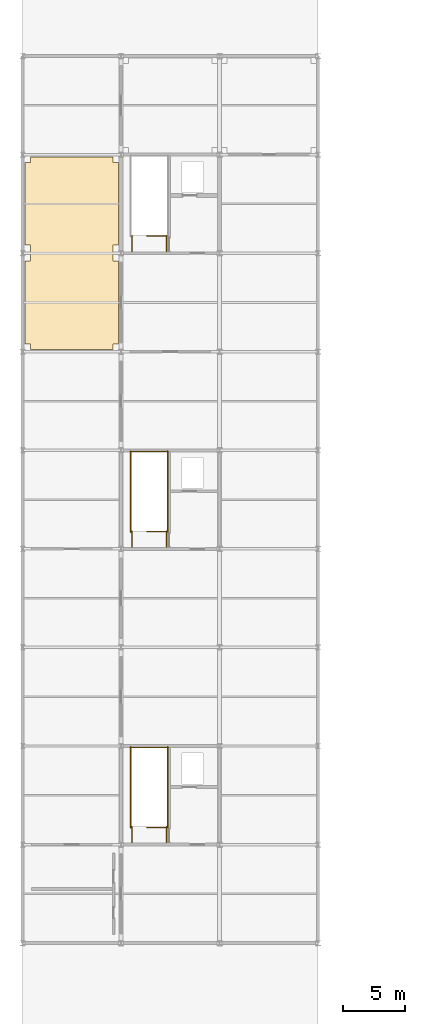
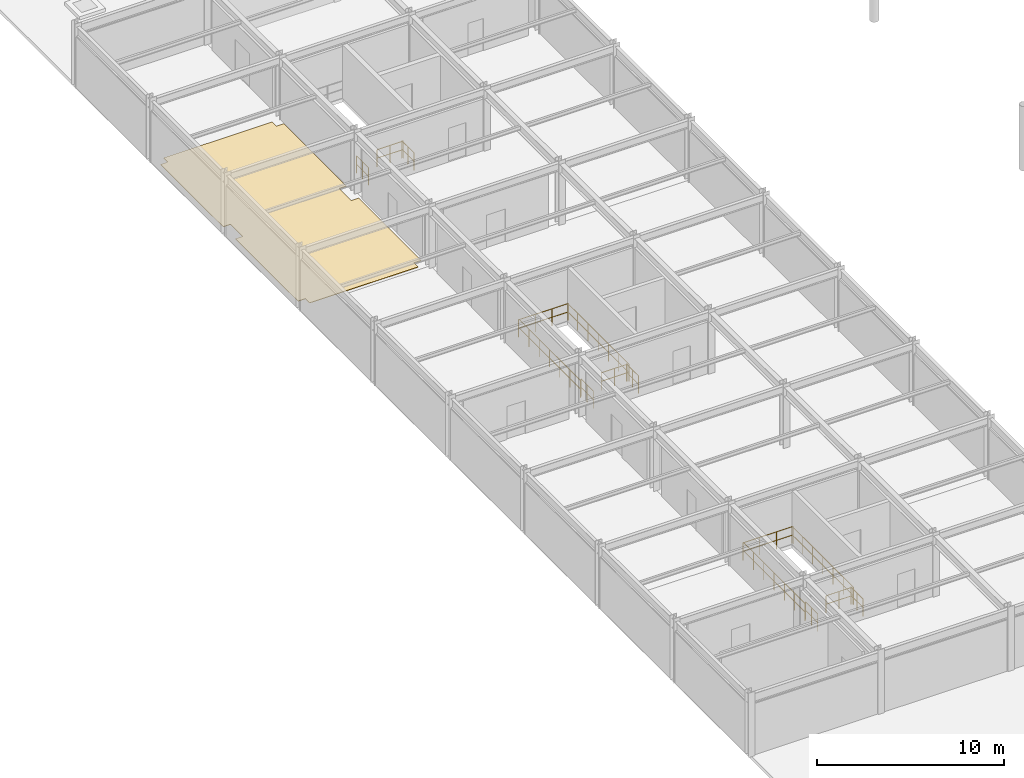
# One storey, part 40 of 41: 15 railings, 1 covering.
"""IFC4 building model written with IfcOpenShell, lengths in metres."""

from ifc_helpers import new_model, si_unit, direction, frame, origin, origin_2d, place, context, subcontext, project, spatial, polyline, circle, outline, extrude, material, layer, layer_set, type_object, element, save


model = new_model("IFC4")

# Units and contexts
model_context = context("Model", 3, precision=1e-05, world=origin(), true_north=direction((0.0, 1.0)))
body_context = subcontext(model_context, "Body", "Model", "MODEL_VIEW")
ifc_project = project(units=[si_unit("LENGTHUNIT", "METRE"), si_unit("AREAUNIT", "SQUARE_METRE"), si_unit("VOLUMEUNIT", "CUBIC_METRE"), si_unit("PLANEANGLEUNIT", "RADIAN"), si_unit("MASSUNIT", "GRAM", prefix="KILO")], contexts=[model_context])

# Site, building, storey
site_placement = place(None, origin())
site = spatial("IfcSite", under=ifc_project, at=site_placement, CompositionType="ELEMENT")
building_placement = place(site_placement, origin())
building = spatial("IfcBuilding", under=site, at=building_placement, Name="Haebicheon Civic Stadium", CompositionType="ELEMENT")
storey_placement = place(building_placement, frame((0.0, 0.0, 27.0)))
storey = spatial("IfcBuildingStorey", under=building, at=storey_placement, Name="L07", CompositionType="ELEMENT", Elevation=27.0)

# Covering
ifc_material_1 = material(Name="Quartz epoxy resin mortar", Category="concrete")
ifc_layer = layer(ifc_material_1, 0.030029296875, Name="Quartz epoxy resin mortar")
ifc_layer_set = layer_set([ifc_layer], Name="Quartz epoxy resin mortar")
covering_type = type_object("IfcCoveringType", Name="COV-FLR-EPX", PredefinedType="FLOORING", material=ifc_layer_set)
covering_placement = place(storey_placement, origin())
element("IfcCovering", 1, at=covering_placement, inside=storey, type_object=covering_type, material=ifc_layer_set, Name="L07 Radio Commentary Booth non-slip floor finish", PredefinedType="FLOORING", context=body_context, shape_type="SweptSolid", body=[
    extrude(outline(polyline([(24.64990234375, 96.199951171875), (24.64990234375, 96.64990234375), (24.199951171875, 96.64990234375), (24.199951171875, 103.35009765625), (24.64990234375, 103.35009765625), (24.64990234375, 104.64990234375), (24.199951171875, 104.64990234375), (24.199951171875, 111.35009765625), (24.64990234375, 111.35009765625), (24.64990234375, 111.800048828125), (31.35009765625, 111.800048828125), (31.35009765625, 111.35009765625), (31.800048828125, 111.35009765625), (31.800048828125, 104.64990234375), (31.35009765625, 104.64990234375), (31.35009765625, 103.35009765625), (31.800048828125, 103.35009765625), (31.800048828125, 96.64990234375), (31.35009765625, 96.64990234375), (31.35009765625, 96.199951171875), (24.64990234375, 96.199951171875)])), origin(), (0.0, 0.0, 1.0), 0.030029296875),
])

# Railings
ifc_material_2 = material(Name="Galvanised painted steel SM355", Category="steel")
railing_type = type_object("IfcRailingType", Name="RL-GRD-1150", PredefinedType="GUARDRAIL", material=ifc_material_2)
railing_1_placement = place(storey_placement, frame((35.739990234375, 57.39990234375, 0.0)))
element("IfcRailing", 2, at=railing_1_placement, inside=storey, type_object=railing_type, material=ifc_material_2, Name="L07 ST-02 top well guard 1", PredefinedType="GUARDRAIL", context=body_context, shape_type="SweptSolid", body=[
    extrude(circle(Radius=0.02392578125, at=origin_2d()), frame((0.0, 0.0, 1.1259765625), z_axis=(-1.0, 0.0, 0.0), x_axis=(0.0, -1.0, 0.0)), (0.0, 0.0, 1.0), 1.619873046875),
    extrude(circle(Radius=0.02392578125, at=origin_2d()), frame((0.0, 0.0, 0.574951171875), z_axis=(-1.0, 0.0, 0.0), x_axis=(0.0, -1.0, 0.0)), (0.0, 0.0, 1.0), 1.619873046875),
    extrude(circle(Radius=0.02099609375, at=origin_2d()), origin(), (0.0, 0.0, 1.0), 1.101806640625),
    extrude(circle(Radius=0.02099609375, at=origin_2d()), frame((-0.81005859375, 0.0, 0.0)), (0.0, 0.0, 1.0), 1.101806640625),
    extrude(circle(Radius=0.02099609375, at=origin_2d()), frame((-1.619873046875, 0.0, 0.0)), (0.0, 0.0, 1.0), 1.101806640625),
])
for number, where, name in (
    (3, (35.7900390625, 57.35009765625, 0.0), "L07 ST-02 top well guard 2"),
    (4, (32.7900390625, 57.35009765625, 0.0), "L07 ST-02 top well guard 3"),
):
    element("IfcRailing", number, at=place(storey_placement, frame(where)), inside=storey, type_object=railing_type, material=ifc_material_2, Name=name, PredefinedType="GUARDRAIL", context=body_context, shape_type="SweptSolid", body=[
        extrude(circle(Radius=0.02392578125, at=origin_2d()), frame((0.0, 0.0, 1.1259765625), z_axis=(0.0, 1.0, 0.0), x_axis=(-1.0, 0.0, 0.0)), (0.0, 0.0, 1.0), 6.58984375),
        extrude(circle(Radius=0.02392578125, at=origin_2d()), frame((0.0, 0.0, 0.574951171875), z_axis=(0.0, 1.0, 0.0), x_axis=(-1.0, 0.0, 0.0)), (0.0, 0.0, 1.0), 6.58984375),
        extrude(circle(Radius=0.02099609375, at=origin_2d()), origin(), (0.0, 0.0, 1.0), 1.101806640625),
        extrude(circle(Radius=0.02099609375, at=origin_2d()), frame((0.0, 1.098388671875, 0.0)), (0.0, 0.0, 1.0), 1.101806640625),
        extrude(circle(Radius=0.02099609375, at=origin_2d()), frame((0.0, 2.196533203125, 0.0)), (0.0, 0.0, 1.0), 1.101806640625),
        extrude(circle(Radius=0.02099609375, at=origin_2d()), frame((0.0, 3.294921875, 0.0)), (0.0, 0.0, 1.0), 1.101806640625),
        extrude(circle(Radius=0.02099609375, at=origin_2d()), frame((0.0, 4.393310546875, 0.0)), (0.0, 0.0, 1.0), 1.101806640625),
        extrude(circle(Radius=0.02099609375, at=origin_2d()), frame((0.0, 5.491455078125, 0.0)), (0.0, 0.0, 1.0), 1.101806640625),
        extrude(circle(Radius=0.02099609375, at=origin_2d()), frame((0.0, 6.58984375, 0.0)), (0.0, 0.0, 1.0), 1.101806640625),
    ])
railing_2_placement = place(storey_placement, frame((35.840087890625, 63.889892578125, 0.0)))
element("IfcRailing", 5, at=railing_2_placement, inside=storey, type_object=railing_type, material=ifc_material_2, Name="L07 ST-02 top well guard 4", PredefinedType="GUARDRAIL", context=body_context, shape_type="SweptSolid", body=[
    extrude(circle(Radius=0.02392578125, at=origin_2d()), frame((0.0, 0.0, 1.1259765625), z_axis=(-1.0, 0.0, 0.0), x_axis=(0.0, -1.0, 0.0)), (0.0, 0.0, 1.0), 3.10009765625),
    extrude(circle(Radius=0.02392578125, at=origin_2d()), frame((0.0, 0.0, 0.574951171875), z_axis=(-1.0, 0.0, 0.0), x_axis=(0.0, -1.0, 0.0)), (0.0, 0.0, 1.0), 3.10009765625),
    extrude(circle(Radius=0.02099609375, at=origin_2d()), origin(), (0.0, 0.0, 1.0), 1.101806640625),
    extrude(circle(Radius=0.02099609375, at=origin_2d()), frame((-1.033447265625, 0.0, 0.0)), (0.0, 0.0, 1.0), 1.101806640625),
    extrude(circle(Radius=0.02099609375, at=origin_2d()), frame((-2.066650390625, 0.0, 0.0)), (0.0, 0.0, 1.0), 1.101806640625),
    extrude(circle(Radius=0.02099609375, at=origin_2d()), frame((-3.10009765625, 0.0, 0.0)), (0.0, 0.0, 1.0), 1.101806640625),
])
for number, where, name in (
    (6, (35.68994140625, 56.159912109375, 0.0), "L07 ST-02 top well guard 5"),
    (7, (32.889892578125, 56.159912109375, 0.0), "L07 ST-02 top well guard 6"),
):
    element("IfcRailing", number, at=place(storey_placement, frame(where)), inside=storey, type_object=railing_type, material=ifc_material_2, Name=name, PredefinedType="GUARDRAIL", context=body_context, shape_type="SweptSolid", body=[
        extrude(circle(Radius=0.02392578125, at=origin_2d()), frame((0.0, 0.0, 1.1259765625), z_axis=(0.0, 1.0, 0.0), x_axis=(-1.0, 0.0, 0.0)), (0.0, 0.0, 1.0), 1.2900390625),
        extrude(circle(Radius=0.02392578125, at=origin_2d()), frame((0.0, 0.0, 0.574951171875), z_axis=(0.0, 1.0, 0.0), x_axis=(-1.0, 0.0, 0.0)), (0.0, 0.0, 1.0), 1.2900390625),
        extrude(circle(Radius=0.02099609375, at=origin_2d()), origin(), (0.0, 0.0, 1.0), 1.101806640625),
        extrude(circle(Radius=0.02099609375, at=origin_2d()), frame((0.0, 0.64501953125, 0.0)), (0.0, 0.0, 1.0), 1.101806640625),
        extrude(circle(Radius=0.02099609375, at=origin_2d()), frame((0.0, 1.2900390625, 0.0)), (0.0, 0.0, 1.0), 1.101806640625),
    ])
railing_3_placement = place(storey_placement, frame((35.739990234375, 81.39990234375, 0.0)))
element("IfcRailing", 8, at=railing_3_placement, inside=storey, type_object=railing_type, material=ifc_material_2, Name="L07 ST-03 top well guard 1", PredefinedType="GUARDRAIL", context=body_context, shape_type="SweptSolid", body=[
    extrude(circle(Radius=0.02392578125, at=origin_2d()), frame((0.0, 0.0, 1.1259765625), z_axis=(-1.0, 0.0, 0.0), x_axis=(0.0, -1.0, 0.0)), (0.0, 0.0, 1.0), 1.639892578125),
    extrude(circle(Radius=0.02392578125, at=origin_2d()), frame((0.0, 0.0, 0.574951171875), z_axis=(-1.0, 0.0, 0.0), x_axis=(0.0, -1.0, 0.0)), (0.0, 0.0, 1.0), 1.639892578125),
    extrude(circle(Radius=0.02099609375, at=origin_2d()), origin(), (0.0, 0.0, 1.0), 1.101806640625),
    extrude(circle(Radius=0.02099609375, at=origin_2d()), frame((-0.81982421875, 0.0, 0.0)), (0.0, 0.0, 1.0), 1.101806640625),
    extrude(circle(Radius=0.02099609375, at=origin_2d()), frame((-1.639892578125, 0.0, 0.0)), (0.0, 0.0, 1.0), 1.101806640625),
])
for number, where, name in (
    (9, (35.7900390625, 81.35009765625, 0.0), "L07 ST-03 top well guard 2"),
    (10, (32.7900390625, 81.35009765625, 0.0), "L07 ST-03 top well guard 3"),
):
    element("IfcRailing", number, at=place(storey_placement, frame(where)), inside=storey, type_object=railing_type, material=ifc_material_2, Name=name, PredefinedType="GUARDRAIL", context=body_context, shape_type="SweptSolid", body=[
        extrude(circle(Radius=0.02392578125, at=origin_2d()), frame((0.0, 0.0, 1.1259765625), z_axis=(0.0, 1.0, 0.0), x_axis=(-1.0, 0.0, 0.0)), (0.0, 0.0, 1.0), 6.58984375),
        extrude(circle(Radius=0.02392578125, at=origin_2d()), frame((0.0, 0.0, 0.574951171875), z_axis=(0.0, 1.0, 0.0), x_axis=(-1.0, 0.0, 0.0)), (0.0, 0.0, 1.0), 6.58984375),
        extrude(circle(Radius=0.02099609375, at=origin_2d()), origin(), (0.0, 0.0, 1.0), 1.101806640625),
        extrude(circle(Radius=0.02099609375, at=origin_2d()), frame((0.0, 1.098388671875, 0.0)), (0.0, 0.0, 1.0), 1.101806640625),
        extrude(circle(Radius=0.02099609375, at=origin_2d()), frame((0.0, 2.196533203125, 0.0)), (0.0, 0.0, 1.0), 1.101806640625),
        extrude(circle(Radius=0.02099609375, at=origin_2d()), frame((0.0, 3.294921875, 0.0)), (0.0, 0.0, 1.0), 1.101806640625),
        extrude(circle(Radius=0.02099609375, at=origin_2d()), frame((0.0, 4.393310546875, 0.0)), (0.0, 0.0, 1.0), 1.101806640625),
        extrude(circle(Radius=0.02099609375, at=origin_2d()), frame((0.0, 5.491455078125, 0.0)), (0.0, 0.0, 1.0), 1.101806640625),
        extrude(circle(Radius=0.02099609375, at=origin_2d()), frame((0.0, 6.58984375, 0.0)), (0.0, 0.0, 1.0), 1.101806640625),
    ])
railing_4_placement = place(storey_placement, frame((35.840087890625, 87.889892578125, 0.0)))
element("IfcRailing", 11, at=railing_4_placement, inside=storey, type_object=railing_type, material=ifc_material_2, Name="L07 ST-03 top well guard 4", PredefinedType="GUARDRAIL", context=body_context, shape_type="SweptSolid", body=[
    extrude(circle(Radius=0.02392578125, at=origin_2d()), frame((0.0, 0.0, 1.1259765625), z_axis=(-1.0, 0.0, 0.0), x_axis=(0.0, -1.0, 0.0)), (0.0, 0.0, 1.0), 3.10009765625),
    extrude(circle(Radius=0.02392578125, at=origin_2d()), frame((0.0, 0.0, 0.574951171875), z_axis=(-1.0, 0.0, 0.0), x_axis=(0.0, -1.0, 0.0)), (0.0, 0.0, 1.0), 3.10009765625),
    extrude(circle(Radius=0.02099609375, at=origin_2d()), origin(), (0.0, 0.0, 1.0), 1.101806640625),
    extrude(circle(Radius=0.02099609375, at=origin_2d()), frame((-1.033447265625, 0.0, 0.0)), (0.0, 0.0, 1.0), 1.101806640625),
    extrude(circle(Radius=0.02099609375, at=origin_2d()), frame((-2.066650390625, 0.0, 0.0)), (0.0, 0.0, 1.0), 1.101806640625),
    extrude(circle(Radius=0.02099609375, at=origin_2d()), frame((-3.10009765625, 0.0, 0.0)), (0.0, 0.0, 1.0), 1.101806640625),
])
for number, where, name in (
    (12, (35.68994140625, 80.159912109375, 0.0), "L07 ST-03 top well guard 5"),
    (13, (32.889892578125, 80.159912109375, 0.0), "L07 ST-03 top well guard 6"),
):
    element("IfcRailing", number, at=place(storey_placement, frame(where)), inside=storey, type_object=railing_type, material=ifc_material_2, Name=name, PredefinedType="GUARDRAIL", context=body_context, shape_type="SweptSolid", body=[
        extrude(circle(Radius=0.02392578125, at=origin_2d()), frame((0.0, 0.0, 1.1259765625), z_axis=(0.0, 1.0, 0.0), x_axis=(-1.0, 0.0, 0.0)), (0.0, 0.0, 1.0), 1.2900390625),
        extrude(circle(Radius=0.02392578125, at=origin_2d()), frame((0.0, 0.0, 0.574951171875), z_axis=(0.0, 1.0, 0.0), x_axis=(-1.0, 0.0, 0.0)), (0.0, 0.0, 1.0), 1.2900390625),
        extrude(circle(Radius=0.02099609375, at=origin_2d()), origin(), (0.0, 0.0, 1.0), 1.101806640625),
        extrude(circle(Radius=0.02099609375, at=origin_2d()), frame((0.0, 0.64501953125, 0.0)), (0.0, 0.0, 1.0), 1.101806640625),
        extrude(circle(Radius=0.02099609375, at=origin_2d()), frame((0.0, 1.2900390625, 0.0)), (0.0, 0.0, 1.0), 1.101806640625),
    ])
railing_5_placement = place(storey_placement, frame((35.739990234375, 105.39990234375, 0.0)))
element("IfcRailing", 14, at=railing_5_placement, inside=storey, type_object=railing_type, material=ifc_material_2, Name="L07 ST-04 top well guard 1", PredefinedType="GUARDRAIL", context=body_context, shape_type="SweptSolid", body=[
    extrude(circle(Radius=0.02392578125, at=origin_2d()), frame((0.0, 0.0, 1.1259765625), z_axis=(-1.0, 0.0, 0.0), x_axis=(0.0, -1.0, 0.0)), (0.0, 0.0, 1.0), 1.619873046875),
    extrude(circle(Radius=0.02392578125, at=origin_2d()), frame((0.0, 0.0, 0.574951171875), z_axis=(-1.0, 0.0, 0.0), x_axis=(0.0, -1.0, 0.0)), (0.0, 0.0, 1.0), 1.619873046875),
    extrude(circle(Radius=0.02099609375, at=origin_2d()), origin(), (0.0, 0.0, 1.0), 1.101806640625),
    extrude(circle(Radius=0.02099609375, at=origin_2d()), frame((-0.81005859375, 0.0, 0.0)), (0.0, 0.0, 1.0), 1.101806640625),
    extrude(circle(Radius=0.02099609375, at=origin_2d()), frame((-1.619873046875, 0.0, 0.0)), (0.0, 0.0, 1.0), 1.101806640625),
])
for number, where, name in (
    (15, (35.68994140625, 104.159912109375, 0.0), "L07 ST-04 top well guard 5"),
    (16, (32.889892578125, 104.159912109375, 0.0), "L07 ST-04 top well guard 6"),
):
    element("IfcRailing", number, at=place(storey_placement, frame(where)), inside=storey, type_object=railing_type, material=ifc_material_2, Name=name, PredefinedType="GUARDRAIL", context=body_context, shape_type="SweptSolid", body=[
        extrude(circle(Radius=0.02392578125, at=origin_2d()), frame((0.0, 0.0, 1.1259765625), z_axis=(0.0, 1.0, 0.0), x_axis=(-1.0, 0.0, 0.0)), (0.0, 0.0, 1.0), 1.2900390625),
        extrude(circle(Radius=0.02392578125, at=origin_2d()), frame((0.0, 0.0, 0.574951171875), z_axis=(0.0, 1.0, 0.0), x_axis=(-1.0, 0.0, 0.0)), (0.0, 0.0, 1.0), 1.2900390625),
        extrude(circle(Radius=0.02099609375, at=origin_2d()), origin(), (0.0, 0.0, 1.0), 1.101806640625),
        extrude(circle(Radius=0.02099609375, at=origin_2d()), frame((0.0, 0.64501953125, 0.0)), (0.0, 0.0, 1.0), 1.101806640625),
        extrude(circle(Radius=0.02099609375, at=origin_2d()), frame((0.0, 1.2900390625, 0.0)), (0.0, 0.0, 1.0), 1.101806640625),
    ])

save(model, "model.ifc")
